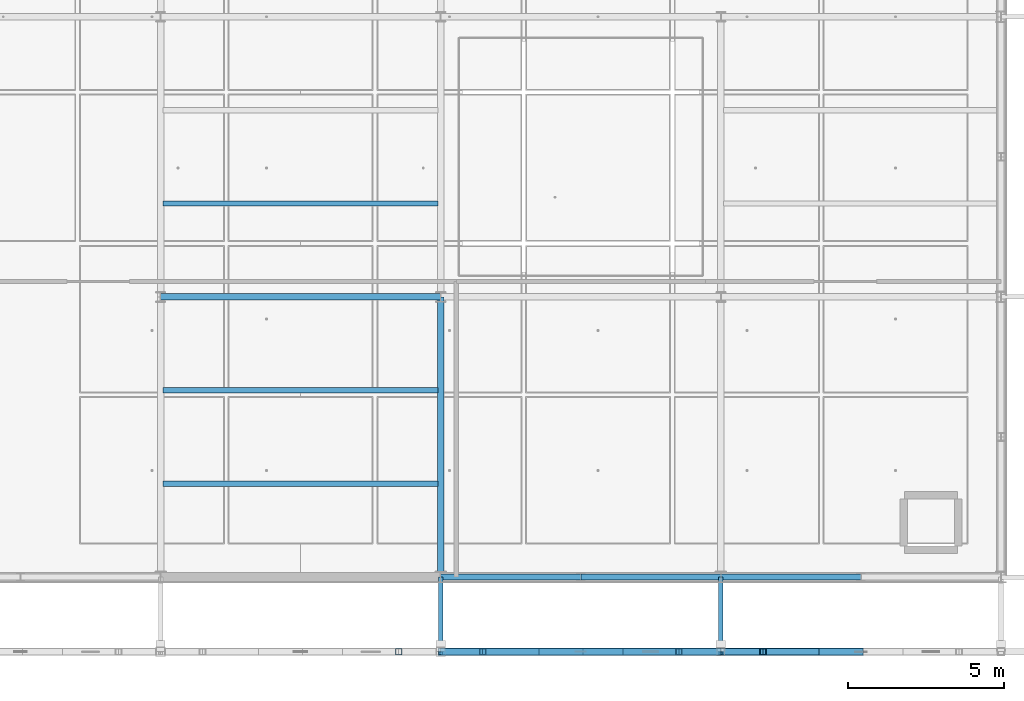
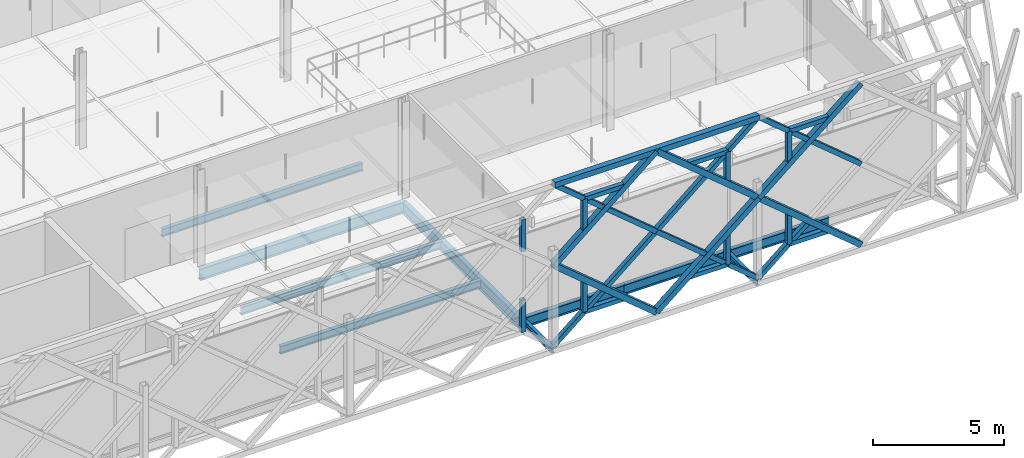
# One storey, part 18 of 66: 31 members, 10 beams.
"""IFC4 building model written with IfcOpenShell, lengths in metres."""

from ifc_helpers import new_model, si_unit, direction, frame, origin, origin_2d, place, context, subcontext, project, spatial, hollow_rectangle, i_section, extrude, material, material_profile, profile_set, type_object, element, save


model = new_model("IFC4")

# Units and contexts
model_context = context("Model", 3, precision=1e-05, world=origin(), true_north=direction((0.0, 1.0)))
body_context = subcontext(model_context, "Body", "Model", "MODEL_VIEW")
ifc_project = project(units=[si_unit("LENGTHUNIT", "METRE"), si_unit("AREAUNIT", "SQUARE_METRE"), si_unit("VOLUMEUNIT", "CUBIC_METRE"), si_unit("PLANEANGLEUNIT", "RADIAN"), si_unit("MASSUNIT", "GRAM", prefix="KILO"), si_unit("THERMODYNAMICTEMPERATUREUNIT", "KELVIN"), si_unit("POWERUNIT", "WATT")], contexts=[model_context])

# Site, building, storey
site_placement = place(None, origin())
site = spatial("IfcSite", under=ifc_project, at=site_placement, CompositionType="ELEMENT")
building_placement = place(site_placement, origin())
building = spatial("IfcBuilding", under=site, at=building_placement, Name="Tallowbark Science Centre", CompositionType="ELEMENT")
storey_placement = place(building_placement, frame((0.0, 0.0, 18.89990234375)))
storey = spatial("IfcBuildingStorey", under=building, at=storey_placement, Name="L04", CompositionType="ELEMENT", Elevation=18.89990234375)

# Beams
ifc_material_1 = material(Name="White Architectural Painted Steel Grade C350L0 (350 MPa)", Category="steel")
ifc_material_profile_1 = material_profile(ifc_material_1, i_section(OverallWidth=0.146484375, OverallDepth=0.256103515625, WebThickness=0.00634765625, FlangeThickness=0.010986328125, FilletRadius=0.0087890625, at=origin_2d()), Name="250UB37.3")
ifc_profile_set_1 = profile_set([ifc_material_profile_1], Name="White Architectural Painted Steel Grade C350L0 (350 MPa)")
beam_type_1 = type_object("IfcBeamType", Name="BM-OUT250", PredefinedType="BEAM", material=ifc_profile_set_1)
for number, where, z_axis, x_axis, name in (
    (1, (85.5, 4.5, -0.25), (0.0, -1.0, 0.0), (1.0, 0.0, 0.0), "Star Screen Outrigger Tie Beam S-63"),
    (2, (94.5, 4.5, -0.25), (0.0, -1.0, 0.0), (1.0, 0.0, 0.0), "Star Screen Outrigger Tie Beam S-65"),
):
    element("IfcBeam", number, at=place(storey_placement, frame(where, z_axis=z_axis, x_axis=x_axis)), inside=storey, type_object=beam_type_1, Name=name, PredefinedType="BEAM", context=body_context, shape_type="SweptSolid", body=[
        extrude(i_section(OverallWidth=0.146484375, OverallDepth=0.256103515625, WebThickness=0.00634765625, FlangeThickness=0.010986328125, FilletRadius=0.0087890625, at=origin_2d()), origin(), (0.0, 0.0, 1.0), 2.39990234375),
    ])
ifc_material_2 = material(Name="Structural Steel Grade 300PLUS (300 MPa)", Category="steel")
ifc_material_profile_2 = material_profile(ifc_material_2, i_section(OverallWidth=0.208984375, OverallDepth=0.532958984375, WebThickness=0.01025390625, FlangeThickness=0.015625, FilletRadius=0.013916015625, at=origin_2d()), Name="530UB92.4")
ifc_profile_set_2 = profile_set([ifc_material_profile_2], Name="Structural Steel Grade 300PLUS (300 MPa)")
beam_type_2 = type_object("IfcBeamType", Name="BM-UB530A", PredefinedType="BEAM", material=ifc_profile_set_2)
beam_1_placement = place(storey_placement, frame((76.5, 13.5, -0.4462890625), z_axis=(1.0, 0.0, 0.0), x_axis=(0.0, 1.0, 0.0)))
element("IfcBeam", 3, at=beam_1_placement, inside=storey, type_object=beam_type_2, Name="Primary Girder GRDX-L04-765-855-135", PredefinedType="BEAM", context=body_context, shape_type="SweptSolid", body=[
    extrude(i_section(OverallWidth=0.208984375, OverallDepth=0.532958984375, WebThickness=0.01025390625, FlangeThickness=0.015625, FilletRadius=0.013916015625, at=origin_2d()), origin(), (0.0, 0.0, 1.0), 9.0),
])
ifc_material_profile_3 = material_profile(ifc_material_2, i_section(OverallWidth=0.208740234375, OverallDepth=0.5283203125, WebThickness=0.009521484375, FlangeThickness=0.01318359375, FilletRadius=0.013916015625, at=origin_2d()), Name="530UB82.0")
ifc_profile_set_3 = profile_set([ifc_material_profile_3], Name="Structural Steel Grade 300PLUS (300 MPa)")
beam_type_3 = type_object("IfcBeamType", Name="BM-UB530B", PredefinedType="BEAM", material=ifc_profile_set_3)
beam_2_placement = place(storey_placement, frame((85.5, 4.5, -0.444091796875), z_axis=(0.0, 1.0, 0.0), x_axis=(-1.0, 0.0, 0.0)))
element("IfcBeam", 4, at=beam_2_placement, inside=storey, type_object=beam_type_3, Name="Primary Girder GRDY-L04-855-45-135", PredefinedType="BEAM", context=body_context, shape_type="SweptSolid", body=[
    extrude(i_section(OverallWidth=0.208740234375, OverallDepth=0.5283203125, WebThickness=0.009521484375, FlangeThickness=0.01318359375, FilletRadius=0.013916015625, at=origin_2d()), origin(), (0.0, 0.0, 1.0), 9.0),
])
ifc_material_profile_4 = material_profile(ifc_material_2, i_section(OverallWidth=0.172119140625, OverallDepth=0.358642578125, WebThickness=0.008056640625, FlangeThickness=0.012939453125, FilletRadius=0.011474609375, at=origin_2d()), Name="360UB56.7")
ifc_profile_set_4 = profile_set([ifc_material_profile_4], Name="Structural Steel Grade 300PLUS (300 MPa)")
beam_type_4 = type_object("IfcBeamType", Name="JST-UB360", PredefinedType="JOIST", material=ifc_profile_set_4)
for number, where, z_axis, x_axis, name in (
    (5, (76.5849609375, 7.5, -0.359130859375), (1.0, 0.0, 0.0), (0.0, 1.0, 0.0), "Composite Floor Joist JSTX-L04-765-75"),
    (6, (76.5849609375, 10.5, -0.359130859375), (1.0, 0.0, 0.0), (0.0, 1.0, 0.0), "Composite Floor Joist JSTX-L04-765-105"),
    (7, (76.5849609375, 16.5, -0.359130859375), (1.0, 0.0, 0.0), (0.0, 1.0, 0.0), "Composite Floor Joist JSTX-L04-765-165"),
):
    element("IfcBeam", number, at=place(storey_placement, frame(where, z_axis=z_axis, x_axis=x_axis)), inside=storey, type_object=beam_type_4, Name=name, PredefinedType="JOIST", context=body_context, shape_type="SweptSolid", body=[
        extrude(i_section(OverallWidth=0.172119140625, OverallDepth=0.358642578125, WebThickness=0.008056640625, FlangeThickness=0.012939453125, FilletRadius=0.011474609375, at=origin_2d()), origin(), (0.0, 0.0, 1.0), 8.830078125),
    ])

# Members
ifc_material_profile_5 = material_profile(ifc_material_1, hollow_rectangle(XDim=0.25, YDim=0.25, WallThickness=0.009033203125, at=origin_2d()), Name="250x250x9.0SHS")
ifc_profile_set_5 = profile_set([ifc_material_profile_5], Name="White Architectural Painted Steel Grade C350L0 (350 MPa)")
member_type_1 = type_object("IfcMemberType", Name="SCR-CHD200", PredefinedType="CHORD", material=ifc_profile_set_5)
member_1_placement = place(storey_placement, frame((85.5, 2.10009765625, 7.5), z_axis=(1.0, 0.0, 0.0), x_axis=(0.0, 1.0, 0.0)))
element("IfcMember", 8, at=member_1_placement, inside=storey, type_object=member_type_1, Name="Star Screen Frame Chord S-42", PredefinedType="CHORD", context=body_context, shape_type="SweptSolid", body=[
    extrude(hollow_rectangle(XDim=0.25, YDim=0.25, WallThickness=0.009033203125, at=origin_2d()), origin(), (0.0, 0.0, 1.0), 9.0),
])
for number, where, z_axis, x_axis, name in (
    (9, (90.0, 2.10009765625, 0.0), (0.768221279597, 0.0, 0.640184399664), (0.0, 1.0, 0.0), "Star Screen Octagram Diamond Chord S-42-1"),
    (10, (94.5, 2.10009765625, 3.75), (-0.768221279597, 0.0, 0.640184399664), (0.0, -1.0, 0.0), "Star Screen Octagram Diamond Chord S-42-2"),
    (11, (90.0, 2.10009765625, 7.5), (-0.768221279597, 0.0, -0.640184399664), (0.0, -1.0, 0.0), "Star Screen Octagram Diamond Chord S-42-3"),
    (12, (85.5, 2.10009765625, 3.75), (0.768221279597, 0.0, -0.640184399664), (0.0, 1.0, 0.0), "Star Screen Octagram Diamond Chord S-42-4"),
    (13, (99.0, 2.10009765625, 7.5), (-0.768221279597, 0.0, -0.640184399664), (0.0, -1.0, 0.0), "Star Screen Octagram Diamond Chord S-44-3"),
    (14, (94.5, 2.10009765625, 3.75), (0.768221279597, 0.0, -0.640184399664), (0.0, 1.0, 0.0), "Star Screen Octagram Diamond Chord S-44-4"),
):
    element("IfcMember", number, at=place(storey_placement, frame(where, z_axis=z_axis, x_axis=x_axis)), inside=storey, type_object=member_type_1, Name=name, PredefinedType="CHORD", context=body_context, shape_type="SweptSolid", body=[
        extrude(hollow_rectangle(XDim=0.25, YDim=0.25, WallThickness=0.009033203125, at=origin_2d()), origin(), (0.0, 0.0, 1.0), 5.857666015625),
    ])
ifc_material_profile_6 = material_profile(ifc_material_1, hollow_rectangle(XDim=0.199951171875, YDim=0.199951171875, WallThickness=0.009033203125, at=origin_2d()), Name="200x200x9.0SHS")
ifc_profile_set_6 = profile_set([ifc_material_profile_6], Name="White Architectural Painted Steel Grade C350L0 (350 MPa)")
member_type_2 = type_object("IfcMemberType", Name="SCR-STAR139", PredefinedType="BRACE", material=ifc_profile_set_6)
member_2_placement = place(storey_placement, frame((85.5, 2.10009765625, 0.0), z_axis=(0.768221279597, 0.0, 0.640184399664), x_axis=(0.0, 1.0, 0.0)))
element("IfcMember", 15, at=member_2_placement, inside=storey, type_object=member_type_2, Name="Star Screen Continuous X-Diagonal D1A S-42", PredefinedType="BRACE", context=body_context, shape_type="SweptSolid", body=[
    extrude(hollow_rectangle(XDim=0.199951171875, YDim=0.199951171875, WallThickness=0.009033203125, at=origin_2d()), origin(), (0.0, 0.0, 1.0), 2.928955078125),
])
member_3_placement = place(storey_placement, frame((87.75, 2.10009765625, 1.875), z_axis=(0.768221279597, 0.0, 0.640184399664), x_axis=(0.0, 1.0, 0.0)))
element("IfcMember", 16, at=member_3_placement, inside=storey, type_object=member_type_2, Name="Star Screen Continuous X-Diagonal D1M S-42", PredefinedType="BRACE", context=body_context, shape_type="SweptSolid", body=[
    extrude(hollow_rectangle(XDim=0.199951171875, YDim=0.199951171875, WallThickness=0.009033203125, at=origin_2d()), origin(), (0.0, 0.0, 1.0), 5.857666015625),
])
for number, where, z_axis, x_axis, name in (
    (17, (92.25, 2.10009765625, 5.625), (0.768221279597, 0.0, 0.640184399664), (0.0, 1.0, 0.0), "Star Screen Continuous X-Diagonal D1B S-42"),
    (18, (85.5, 2.10009765625, 7.5), (0.768221279597, 0.0, -0.640184399664), (0.0, 1.0, 0.0), "Star Screen Split X-Diagonal D2A S-42"),
    (19, (87.75, 2.10009765625, 5.625), (0.768221279597, 0.0, -0.640184399664), (0.0, 1.0, 0.0), "Star Screen Split X-Diagonal D2B S-42"),
    (20, (90.0, 2.10009765625, 3.75), (0.768221279597, 0.0, -0.640184399664), (0.0, 1.0, 0.0), "Star Screen Split X-Diagonal D2C S-42"),
    (21, (92.25, 2.10009765625, 1.875), (0.768221279597, 0.0, -0.640184399664), (0.0, 1.0, 0.0), "Star Screen Split X-Diagonal D2D S-42"),
    (22, (94.5, 2.10009765625, 0.0), (0.768221279597, 0.0, 0.640184399664), (0.0, 1.0, 0.0), "Star Screen Continuous X-Diagonal D1A S-44"),
    (23, (94.5, 2.10009765625, 7.5), (0.768221279597, 0.0, -0.640184399664), (0.0, 1.0, 0.0), "Star Screen Split X-Diagonal D2A S-44"),
    (24, (96.75, 2.10009765625, 5.625), (0.768221279597, 0.0, -0.640184399664), (0.0, 1.0, 0.0), "Star Screen Split X-Diagonal D2B S-44"),
):
    element("IfcMember", number, at=place(storey_placement, frame(where, z_axis=z_axis, x_axis=x_axis)), inside=storey, type_object=member_type_2, Name=name, PredefinedType="BRACE", context=body_context, shape_type="SweptSolid", body=[
        extrude(hollow_rectangle(XDim=0.199951171875, YDim=0.199951171875, WallThickness=0.009033203125, at=origin_2d()), origin(), (0.0, 0.0, 1.0), 2.928955078125),
    ])
ifc_material_profile_7 = material_profile(ifc_material_1, hollow_rectangle(XDim=0.199951171875, YDim=0.199951171875, WallThickness=0.009033203125, at=origin_2d()), Name="200x200x9.0SHS")
ifc_profile_set_7 = profile_set([ifc_material_profile_7], Name="White Architectural Painted Steel Grade C350L0 (350 MPa)")
member_type_3 = type_object("IfcMemberType", Name="SCR-SUB150", PredefinedType="BRACE", material=ifc_profile_set_7)
for number, where, z_axis, x_axis, name in (
    (25, (84.14990234375, 2.10009765625, 1.125), (0.0, 0.0, 1.0), (1.0, 0.0, 0.0), "Star Screen Octagram Point Ray S-40-4"),
    (26, (84.14990234375, 2.10009765625, 6.375), (0.0, 0.0, -1.0), (1.0, 0.0, 0.0), "Star Screen Octagram Point Ray S-40-6"),
):
    element("IfcMember", number, at=place(storey_placement, frame(where, z_axis=z_axis, x_axis=x_axis)), inside=storey, type_object=member_type_3, Name=name, PredefinedType="BRACE", context=body_context, shape_type="SweptSolid", body=[
        extrude(hollow_rectangle(XDim=0.199951171875, YDim=0.199951171875, WallThickness=0.009033203125, at=origin_2d()), origin(), (0.0, 0.0, 1.0), 1.5),
    ])
member_4_placement = place(storey_placement, frame((86.85009765625, 2.10009765625, 1.125), z_axis=(1.0, 0.0, 0.0), x_axis=(0.0, 1.0, 0.0)))
element("IfcMember", 27, at=member_4_placement, inside=storey, type_object=member_type_3, Name="Star Screen Octagram Point Ray S-42-1", PredefinedType="BRACE", context=body_context, shape_type="SweptSolid", body=[
    extrude(hollow_rectangle(XDim=0.199951171875, YDim=0.199951171875, WallThickness=0.009033203125, at=origin_2d()), origin(), (0.0, 0.0, 1.0), 1.7998046875),
])
member_5_placement = place(storey_placement, frame((86.85009765625, 2.10009765625, 1.125), z_axis=(0.0, 0.0, 1.0), x_axis=(1.0, 0.0, 0.0)))
element("IfcMember", 28, at=member_5_placement, inside=storey, type_object=member_type_3, Name="Star Screen Octagram Point Ray S-42-2", PredefinedType="BRACE", context=body_context, shape_type="SweptSolid", body=[
    extrude(hollow_rectangle(XDim=0.199951171875, YDim=0.199951171875, WallThickness=0.009033203125, at=origin_2d()), origin(), (0.0, 0.0, 1.0), 1.5),
])
member_6_placement = place(storey_placement, frame((93.14990234375, 2.10009765625, 1.125), z_axis=(-1.0, 0.0, 0.0), x_axis=(0.0, -1.0, 0.0)))
element("IfcMember", 29, at=member_6_placement, inside=storey, type_object=member_type_3, Name="Star Screen Octagram Point Ray S-42-3", PredefinedType="BRACE", context=body_context, shape_type="SweptSolid", body=[
    extrude(hollow_rectangle(XDim=0.199951171875, YDim=0.199951171875, WallThickness=0.009033203125, at=origin_2d()), origin(), (0.0, 0.0, 1.0), 1.7998046875),
])
member_7_placement = place(storey_placement, frame((93.14990234375, 2.10009765625, 1.125), z_axis=(0.0, 0.0, 1.0), x_axis=(1.0, 0.0, 0.0)))
element("IfcMember", 30, at=member_7_placement, inside=storey, type_object=member_type_3, Name="Star Screen Octagram Point Ray S-42-4", PredefinedType="BRACE", context=body_context, shape_type="SweptSolid", body=[
    extrude(hollow_rectangle(XDim=0.199951171875, YDim=0.199951171875, WallThickness=0.009033203125, at=origin_2d()), origin(), (0.0, 0.0, 1.0), 1.5),
])
member_8_placement = place(storey_placement, frame((93.14990234375, 2.10009765625, 6.375), z_axis=(-1.0, 0.0, 0.0), x_axis=(0.0, -1.0, 0.0)))
element("IfcMember", 31, at=member_8_placement, inside=storey, type_object=member_type_3, Name="Star Screen Octagram Point Ray S-42-5", PredefinedType="BRACE", context=body_context, shape_type="SweptSolid", body=[
    extrude(hollow_rectangle(XDim=0.199951171875, YDim=0.199951171875, WallThickness=0.009033203125, at=origin_2d()), origin(), (0.0, 0.0, 1.0), 1.7998046875),
])
member_9_placement = place(storey_placement, frame((93.14990234375, 2.10009765625, 6.375), z_axis=(0.0, 0.0, -1.0), x_axis=(1.0, 0.0, 0.0)))
element("IfcMember", 32, at=member_9_placement, inside=storey, type_object=member_type_3, Name="Star Screen Octagram Point Ray S-42-6", PredefinedType="BRACE", context=body_context, shape_type="SweptSolid", body=[
    extrude(hollow_rectangle(XDim=0.199951171875, YDim=0.199951171875, WallThickness=0.009033203125, at=origin_2d()), origin(), (0.0, 0.0, 1.0), 1.5),
])
member_10_placement = place(storey_placement, frame((86.85009765625, 2.10009765625, 6.375), z_axis=(1.0, 0.0, 0.0), x_axis=(0.0, 1.0, 0.0)))
element("IfcMember", 33, at=member_10_placement, inside=storey, type_object=member_type_3, Name="Star Screen Octagram Point Ray S-42-7", PredefinedType="BRACE", context=body_context, shape_type="SweptSolid", body=[
    extrude(hollow_rectangle(XDim=0.199951171875, YDim=0.199951171875, WallThickness=0.009033203125, at=origin_2d()), origin(), (0.0, 0.0, 1.0), 1.7998046875),
])
member_11_placement = place(storey_placement, frame((86.85009765625, 2.10009765625, 6.375), z_axis=(0.0, 0.0, -1.0), x_axis=(1.0, 0.0, 0.0)))
element("IfcMember", 34, at=member_11_placement, inside=storey, type_object=member_type_3, Name="Star Screen Octagram Point Ray S-42-8", PredefinedType="BRACE", context=body_context, shape_type="SweptSolid", body=[
    extrude(hollow_rectangle(XDim=0.199951171875, YDim=0.199951171875, WallThickness=0.009033203125, at=origin_2d()), origin(), (0.0, 0.0, 1.0), 1.5),
])
member_12_placement = place(storey_placement, frame((95.85009765625, 2.10009765625, 1.125), z_axis=(1.0, 0.0, 0.0), x_axis=(0.0, 1.0, 0.0)))
element("IfcMember", 35, at=member_12_placement, inside=storey, type_object=member_type_3, Name="Star Screen Octagram Point Ray S-44-1", PredefinedType="BRACE", context=body_context, shape_type="SweptSolid", body=[
    extrude(hollow_rectangle(XDim=0.199951171875, YDim=0.199951171875, WallThickness=0.009033203125, at=origin_2d()), origin(), (0.0, 0.0, 1.0), 1.7998046875),
])
member_13_placement = place(storey_placement, frame((95.85009765625, 2.10009765625, 1.125), z_axis=(0.0, 0.0, 1.0), x_axis=(1.0, 0.0, 0.0)))
element("IfcMember", 36, at=member_13_placement, inside=storey, type_object=member_type_3, Name="Star Screen Octagram Point Ray S-44-2", PredefinedType="BRACE", context=body_context, shape_type="SweptSolid", body=[
    extrude(hollow_rectangle(XDim=0.199951171875, YDim=0.199951171875, WallThickness=0.009033203125, at=origin_2d()), origin(), (0.0, 0.0, 1.0), 1.5),
])
member_14_placement = place(storey_placement, frame((95.85009765625, 2.10009765625, 6.375), z_axis=(1.0, 0.0, 0.0), x_axis=(0.0, 1.0, 0.0)))
element("IfcMember", 37, at=member_14_placement, inside=storey, type_object=member_type_3, Name="Star Screen Octagram Point Ray S-44-7", PredefinedType="BRACE", context=body_context, shape_type="SweptSolid", body=[
    extrude(hollow_rectangle(XDim=0.199951171875, YDim=0.199951171875, WallThickness=0.009033203125, at=origin_2d()), origin(), (0.0, 0.0, 1.0), 1.7998046875),
])
member_15_placement = place(storey_placement, frame((95.85009765625, 2.10009765625, 6.375), z_axis=(0.0, 0.0, -1.0), x_axis=(1.0, 0.0, 0.0)))
element("IfcMember", 38, at=member_15_placement, inside=storey, type_object=member_type_3, Name="Star Screen Octagram Point Ray S-44-8", PredefinedType="BRACE", context=body_context, shape_type="SweptSolid", body=[
    extrude(hollow_rectangle(XDim=0.199951171875, YDim=0.199951171875, WallThickness=0.009033203125, at=origin_2d()), origin(), (0.0, 0.0, 1.0), 1.5),
])

# Beams
ifc_material_profile_8 = material_profile(ifc_material_2, i_section(OverallWidth=0.18994140625, OverallDepth=0.453857421875, WebThickness=0.008544921875, FlangeThickness=0.0126953125, FilletRadius=0.011474609375, at=origin_2d()), Name="460UB67.1")
ifc_profile_set_8 = profile_set([ifc_material_profile_8], Name="Structural Steel Grade 300PLUS (300 MPa)")
beam_type_5 = type_object("IfcBeamType", Name="SPN-UB460", PredefinedType="SPANDREL", material=ifc_profile_set_8)
for number, where, z_axis, x_axis, name in (
    (39, (85.5, 4.5, -0.40673828125), (1.0, 0.0, 0.0), (0.0, 1.0, 0.0), "Primary Girder GRDX-L04-855-900-45"),
    (40, (90.0, 4.5, -0.40673828125), (1.0, 0.0, 0.0), (0.0, 1.0, 0.0), "Primary Girder GRDX-L04-900-945-45"),
    (41, (94.5, 4.5, -0.40673828125), (1.0, 0.0, 0.0), (0.0, 1.0, 0.0), "Primary Girder GRDX-L04-945-990-45"),
):
    element("IfcBeam", number, at=place(storey_placement, frame(where, z_axis=z_axis, x_axis=x_axis)), inside=storey, type_object=beam_type_5, Name=name, PredefinedType="SPANDREL", context=body_context, shape_type="SweptSolid", body=[
        extrude(i_section(OverallWidth=0.18994140625, OverallDepth=0.453857421875, WebThickness=0.008544921875, FlangeThickness=0.0126953125, FilletRadius=0.011474609375, at=origin_2d()), origin(), (0.0, 0.0, 1.0), 4.5),
    ])

save(model, "model.ifc")
